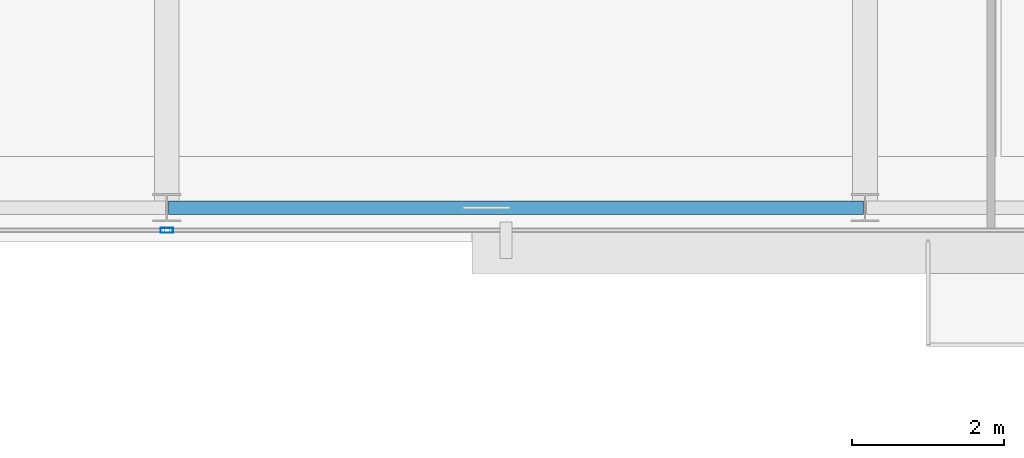
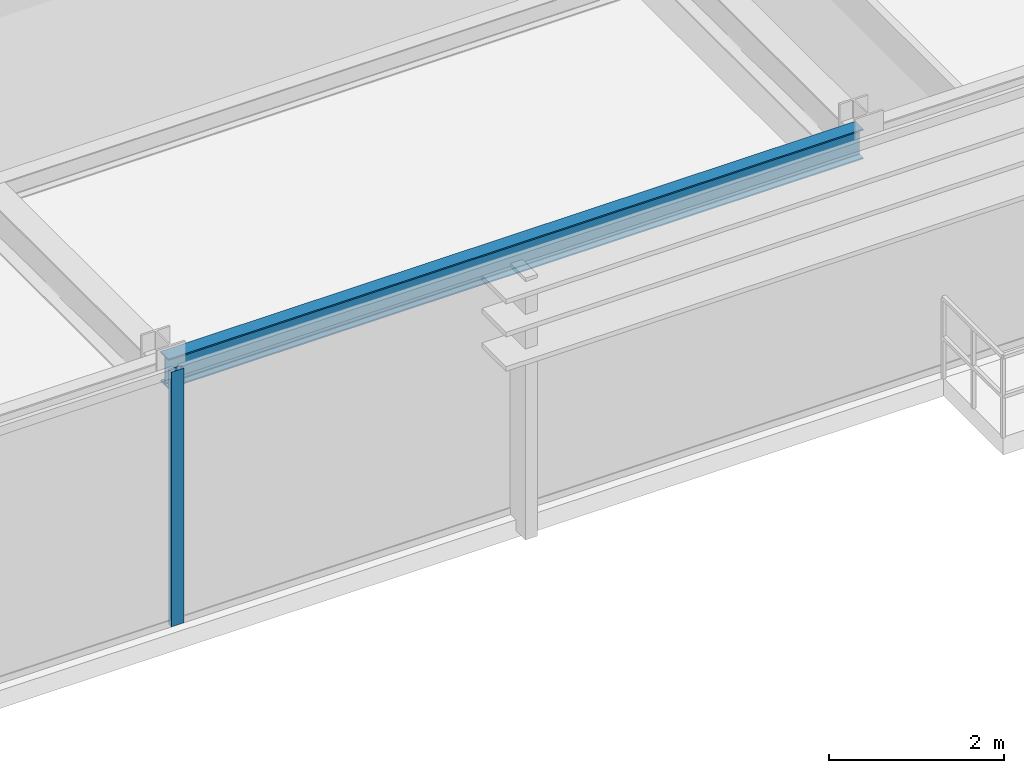
# One storey, part 8 of 31: 1 beam, 1 member, 1 element without a shape of its own.
"""IFC4 building model written with IfcOpenShell, lengths in metres."""

from ifc_helpers import new_model, si_unit, direction, frame, origin, origin_2d, place, context, subcontext, project, spatial, hollow_rectangle, i_section, extrude, source, transform, mapped, material, layer, layer_set, material_profile, profile_set, type_object, type_shapes, element, aggregate, save


model = new_model("IFC4")

# Units and contexts
model_context = context("Model", 3, precision=1e-05, world=origin(), true_north=direction((0.0, 1.0)))
body_context = subcontext(model_context, "Body", "Model", "MODEL_VIEW")
ifc_project = project(units=[si_unit("LENGTHUNIT", "METRE"), si_unit("AREAUNIT", "SQUARE_METRE"), si_unit("VOLUMEUNIT", "CUBIC_METRE"), si_unit("PLANEANGLEUNIT", "RADIAN"), si_unit("MASSUNIT", "GRAM", prefix="KILO")], contexts=[model_context])

# Site, building, storey
site_placement = place(None, origin())
site = spatial("IfcSite", under=ifc_project, at=site_placement, CompositionType="ELEMENT")
building_placement = place(site_placement, origin())
building = spatial("IfcBuilding", under=site, at=building_placement, Name="Varnel Quay Broadcast Tower", CompositionType="ELEMENT")
storey_placement = place(building_placement, frame((0.0, 0.0, 183.800048828125)))
storey = spatial("IfcBuildingStorey", under=building, at=storey_placement, Name="L45", CompositionType="ELEMENT", Elevation=183.800048828125)

# Beam
ifc_material_1 = material(Name="Structural Steel CSA G40.21 350W", Category="steel")
ifc_material_profile_1 = material_profile(ifc_material_1, i_section(OverallWidth=0.180908203125, OverallDepth=0.4169921875, WebThickness=0.010986328125, FlangeThickness=0.018310546875, FilletRadius=0.011962890625, at=origin_2d()), Name="W410X85")
ifc_profile_set_1 = profile_set([ifc_material_profile_1], Name="Structural Steel CSA G40.21 350W")
beam_type = type_object("IfcBeamType", Name="Beam_W410X85", PredefinedType="SPANDREL", material=ifc_profile_set_1)
shared_shape_1 = source(origin(), body_context, "Body", "SweptSolid", [
    extrude(i_section(OverallWidth=0.180908203125, OverallDepth=0.4169921875, WebThickness=0.010986328125, FlangeThickness=0.018310546875, FilletRadius=0.011962890625, at=origin_2d()), origin(), (0.0, 0.0, 1.0), 9.159912109375),
])
type_shapes(beam_type, [shared_shape_1])
beam_placement = place(storey_placement, frame((34.02001953125, 7.64990234375, 3.341552734375), z_axis=(1.0, 0.0, 0.0), x_axis=(0.0, 1.0, 0.0)))
element("IfcBeam", 1, at=beam_placement, inside=storey, type_object=beam_type, Name="L45 South Spandrel TC-S3-TC-S4", PredefinedType="SPANDREL", context=body_context, shape_type="MappedRepresentation", body=[
    mapped(shared_shape_1, transform((0.0, 0.0, 0.0), x_axis=(1.0, 0.0, 0.0), y_axis=(0.0, 1.0, 0.0), z_axis=(0.0, 0.0, 1.0), scale=1.0)),
])

# Curtain wall, member
ifc_material_2 = material(Name="Anodised Bronze Aluminium 6063-T6", Category="aluminium")
ifc_layer = layer(ifc_material_2, 0.18994140625, Name="Anodised Bronze Aluminium 6063-T6")
ifc_layer_set = layer_set([ifc_layer], Name="Anodised Bronze Aluminium 6063-T6")
curtain_wall_type = type_object("IfcCurtainWallType", Name="CW_UpperTower", PredefinedType="NOTDEFINED", material=ifc_layer_set)
curtain_wall_placement = place(storey_placement, origin())
curtain_wall = element("IfcCurtainWall", 2, at=curtain_wall_placement, inside=storey, type_object=curtain_wall_type, Name="L45 South Unitised Curtain Wall 2", PredefinedType="NOTDEFINED")
ifc_material_profile_2 = material_profile(ifc_material_2, hollow_rectangle(XDim=0.06494140625, YDim=0.1650390625, WallThickness=0.00341796875, at=origin_2d()), Name="ALU65X165X3.5")
ifc_profile_set_2 = profile_set([ifc_material_profile_2], Name="Anodised Bronze Aluminium 6063-T6")
member_type = type_object("IfcMemberType", Name="Mull_CWS-03", PredefinedType="MULLION", material=ifc_profile_set_2)
shared_shape_2 = source(origin(), body_context, "Body", "SweptSolid", [
    extrude(hollow_rectangle(XDim=0.06494140625, YDim=0.1650390625, WallThickness=0.00341796875, at=origin_2d()), origin(), (0.0, 0.0, 1.0), 3.550048828125),
])
type_shapes(member_type, [shared_shape_2])
member_placement = place(storey_placement, frame((34.0, 7.35009765625, 0.0), z_axis=(0.0, 0.0, 1.0), x_axis=(0.0, 1.0, 0.0)))
member = element("IfcMember", 3, at=member_placement, type_object=member_type, Name="CWS-03 mullion 2", PredefinedType="MULLION", context=body_context, shape_type="MappedRepresentation", body=[
    mapped(shared_shape_2, transform((0.0, 0.0, 0.0), x_axis=(1.0, 0.0, 0.0), y_axis=(0.0, 1.0, 0.0), z_axis=(0.0, 0.0, 1.0), scale=1.0)),
])
aggregate(curtain_wall, [member])

save(model, "model.ifc")
